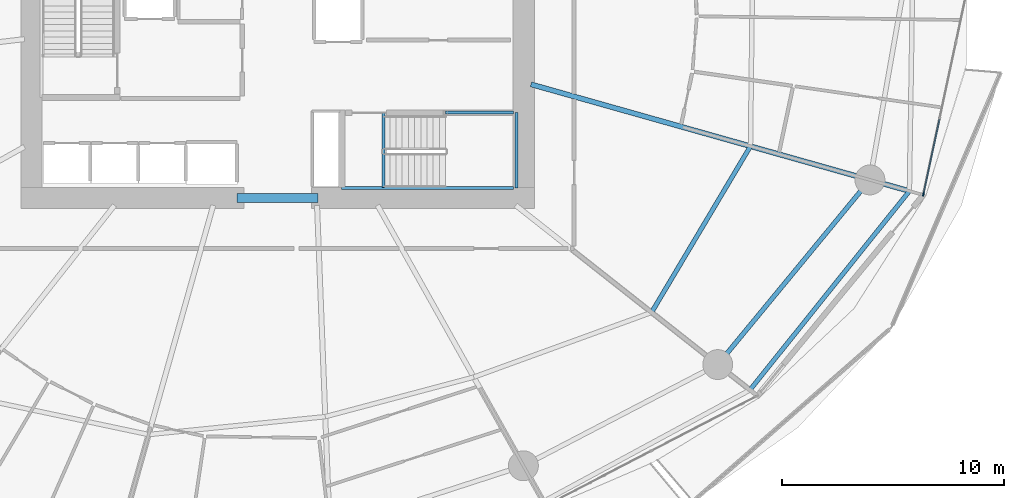
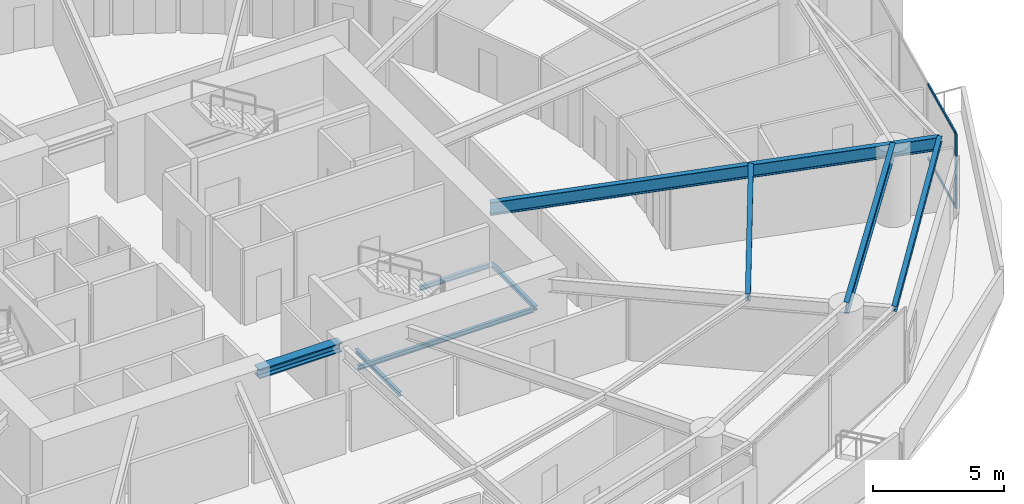
# One storey, part 10 of 31: 9 beams, 3 members, 1 element without a shape of its own.
"""IFC4 building model written with IfcOpenShell, lengths in metres."""

from ifc_helpers import new_model, si_unit, direction, frame, origin, origin_2d, place, context, subcontext, project, spatial, rectangle, i_section, extrude, material, layer, layer_set, material_profile, profile_set, type_object, element, aggregate, save


model = new_model("IFC4")

# Units and contexts
model_context = context("Model", 3, precision=1e-05, world=origin(), true_north=direction((0.0, 1.0)))
body_context = subcontext(model_context, "Body", "Model", "MODEL_VIEW")
ifc_project = project(units=[si_unit("LENGTHUNIT", "METRE"), si_unit("AREAUNIT", "SQUARE_METRE"), si_unit("VOLUMEUNIT", "CUBIC_METRE"), si_unit("PLANEANGLEUNIT", "RADIAN"), si_unit("MASSUNIT", "GRAM", prefix="KILO")], contexts=[model_context])

# Site, building, storey
site_placement = place(None, origin())
site = spatial("IfcSite", under=ifc_project, at=site_placement, CompositionType="ELEMENT")
building_placement = place(site_placement, origin())
building = spatial("IfcBuilding", under=site, at=building_placement, Name="Kazma Halo Residences", CompositionType="ELEMENT")
storey_placement = place(building_placement, frame((0.0, 0.0, 41.39990234375)))
storey = spatial("IfcBuildingStorey", under=building, at=storey_placement, Name="L09", CompositionType="ELEMENT", Elevation=41.39990234375)

# Beams
ifc_material_1 = material(Name="Steel S355", Category="steel")
ifc_material_profile_1 = material_profile(ifc_material_1, i_section(OverallWidth=0.201904296875, OverallDepth=0.2470703125, WebThickness=0.00732421875, FlangeThickness=0.010986328125, FilletRadius=0.011962890625, at=origin_2d()), Name="W250x49.1")
ifc_profile_set_1 = profile_set([ifc_material_profile_1], Name="Steel S355")
beam_type_1 = type_object("IfcBeamType", Name="BM-BAL-CANT", PredefinedType="BEAM", material=ifc_profile_set_1)
beam_1_placement = place(storey_placement, frame((69.728515625, 24.87060546875, 3.376708984375), z_axis=(0.625476617708, 0.780242911343, 0.0), x_axis=(-0.780242911343, 0.625476617708, 0.0)))
element("IfcBeam", 1, at=beam_1_placement, inside=storey, type_object=beam_type_1, Name="L09 wave-balcony tie beam 14", PredefinedType="BEAM", context=body_context, shape_type="SweptSolid", body=[
    extrude(i_section(OverallWidth=0.201904296875, OverallDepth=0.2470703125, WebThickness=0.00732421875, FlangeThickness=0.010986328125, FilletRadius=0.011962890625, at=origin_2d()), origin(), (0.0, 0.0, 1.0), 11.499755859375),
])
ifc_material_profile_2 = material_profile(ifc_material_1, i_section(OverallWidth=0.408935546875, OverallDepth=0.425048828125, WebThickness=0.03271484375, FlangeThickness=0.052490234375, FilletRadius=0.02001953125, at=origin_2d()), Name="W360x421")
ifc_profile_set_2 = profile_set([ifc_material_profile_2], Name="Steel S355")
beam_type_2 = type_object("IfcBeamType", Name="BM-CORE-W360H", PredefinedType="BEAM", material=ifc_profile_set_2)
beam_2_placement = place(storey_placement, frame((46.60009765625, 33.52490234375, 3.28759765625), z_axis=(1.0, 0.0, 0.0), x_axis=(0.0, 1.0, 0.0)))
element("IfcBeam", 2, at=beam_2_placement, inside=storey, type_object=beam_type_2, Name="L09 core coupling beam S", PredefinedType="BEAM", context=body_context, shape_type="SweptSolid", body=[
    extrude(i_section(OverallWidth=0.408935546875, OverallDepth=0.425048828125, WebThickness=0.03271484375, FlangeThickness=0.052490234375, FilletRadius=0.02001953125, at=origin_2d()), origin(), (0.0, 0.0, 1.0), 3.64990234375),
])
ifc_material_profile_3 = material_profile(ifc_material_1, i_section(OverallWidth=0.22802734375, OverallDepth=0.60791015625, WebThickness=0.01123046875, FlangeThickness=0.017333984375, FilletRadius=0.01806640625, at=origin_2d()), Name="W610x113")
ifc_profile_set_3 = profile_set([ifc_material_profile_3], Name="Steel S355")
beam_type_3 = type_object("IfcBeamType", Name="BM-RAD-W610", PredefinedType="BEAM", material=ifc_profile_set_3)
beam_3_placement = place(storey_placement, frame((59.85009765625, 38.657958984375, 3.196044921875), z_axis=(0.962453825278, -0.271445453468, 0.0), x_axis=(0.271445453468, 0.962453825278, 0.0)))
element("IfcBeam", 3, at=beam_3_placement, inside=storey, type_object=beam_type_3, Name="L09 radial floor beam 15", PredefinedType="BEAM", context=body_context, shape_type="SweptSolid", body=[
    extrude(i_section(OverallWidth=0.22802734375, OverallDepth=0.60791015625, WebThickness=0.01123046875, FlangeThickness=0.017333984375, FilletRadius=0.01806640625, at=origin_2d()), origin(), (0.0, 0.0, 1.0), 17.7373046875),
])
ifc_material_profile_4 = material_profile(ifc_material_1, i_section(OverallWidth=0.202880859375, OverallDepth=0.302978515625, WebThickness=0.007568359375, FlangeThickness=0.01318359375, FilletRadius=0.013916015625, at=origin_2d()), Name="W310x60")
ifc_profile_set_4 = profile_set([ifc_material_profile_4], Name="Steel S355")
beam_type_4 = type_object("IfcBeamType", Name="BM-SEC-W310A", PredefinedType="JOIST", material=ifc_profile_set_4)
beam_4_placement = place(storey_placement, frame((65.291015625, 28.368896484375, 3.3486328125), z_axis=(0.511331320511, 0.859383663252, 0.0), x_axis=(-0.859383663252, 0.511331320511, 0.0)))
element("IfcBeam", 4, at=beam_4_placement, inside=storey, type_object=beam_type_4, Name="L09 circumferential floor joist 14", PredefinedType="JOIST", context=body_context, shape_type="SweptSolid", body=[
    extrude(i_section(OverallWidth=0.202880859375, OverallDepth=0.302978515625, WebThickness=0.007568359375, FlangeThickness=0.01318359375, FilletRadius=0.013916015625, at=origin_2d()), origin(), (0.0, 0.0, 1.0), 8.72314453125),
])
ifc_material_profile_5 = material_profile(ifc_material_1, i_section(OverallWidth=0.208984375, OverallDepth=0.532958984375, WebThickness=0.01025390625, FlangeThickness=0.015625, FilletRadius=0.01611328125, at=origin_2d()), Name="W530x92")
ifc_profile_set_5 = profile_set([ifc_material_profile_5], Name="Steel S355")
beam_type_5 = type_object("IfcBeamType", Name="BM-SPN-W530", PredefinedType="BEAM", material=ifc_profile_set_5)
beam_5_placement = place(storey_placement, frame((68.27587890625, 26.015869140625, 3.233642578125), z_axis=(0.636001336663, 0.771687954916, 0.0), x_axis=(-0.771687954916, 0.636001336663, 0.0)))
element("IfcBeam", 5, at=beam_5_placement, inside=storey, type_object=beam_type_5, Name="L09 perimeter ring beam 14", PredefinedType="BEAM", context=body_context, shape_type="SweptSolid", body=[
    extrude(i_section(OverallWidth=0.208984375, OverallDepth=0.532958984375, WebThickness=0.01025390625, FlangeThickness=0.015625, FilletRadius=0.01611328125, at=origin_2d()), origin(), (0.0, 0.0, 1.0), 10.7939453125),
])
ifc_material_profile_6 = material_profile(ifc_material_1, i_section(OverallWidth=0.133056640625, OverallDepth=0.20703125, WebThickness=0.005859375, FlangeThickness=0.00830078125, FilletRadius=0.010009765625, at=origin_2d()), Name="W200x26.6")
ifc_profile_set_6 = profile_set([ifc_material_profile_6], Name="Steel S355")
beam_type_6 = type_object("IfcBeamType", Name="BM-TRIM-W200", PredefinedType="BEAM", material=ifc_profile_set_6)
beam_6_placement = place(storey_placement, frame((53.199951171875, 34.0, -0.35986328125), z_axis=(0.0, 1.0, 0.0), x_axis=(-1.0, 0.0, 0.0)))
element("IfcBeam", 6, at=beam_6_placement, inside=storey, type_object=beam_type_6, Name="L09 ST-03 floor landing support beam", PredefinedType="BEAM", context=body_context, shape_type="SweptSolid", body=[
    extrude(i_section(OverallWidth=0.133056640625, OverallDepth=0.20703125, WebThickness=0.005859375, FlangeThickness=0.00830078125, FilletRadius=0.010009765625, at=origin_2d()), origin(), (0.0, 0.0, 1.0), 3.3798828125),
])
beam_7_placement = place(storey_placement, frame((51.31005859375, 33.97998046875, 1.570068359375), z_axis=(1.0, 0.0, 0.0), x_axis=(0.0, 1.0, 0.0)))
element("IfcBeam", 7, at=beam_7_placement, inside=storey, type_object=beam_type_6, Name="L09 ST-03 landing south wall ledger", PredefinedType="BEAM", context=body_context, shape_type="SweptSolid", body=[
    extrude(i_section(OverallWidth=0.133056640625, OverallDepth=0.20703125, WebThickness=0.005859375, FlangeThickness=0.00830078125, FilletRadius=0.010009765625, at=origin_2d()), origin(), (0.0, 0.0, 1.0), 7.760009765625),
])
beam_8_placement = place(storey_placement, frame((56.0, 37.3798828125, 1.570068359375), z_axis=(1.0, 0.0, 0.0), x_axis=(0.0, 1.0, 0.0)))
element("IfcBeam", 8, at=beam_8_placement, inside=storey, type_object=beam_type_6, Name="L09 ST-03 landing north wall ledger", PredefinedType="BEAM", context=body_context, shape_type="SweptSolid", body=[
    extrude(i_section(OverallWidth=0.133056640625, OverallDepth=0.20703125, WebThickness=0.005859375, FlangeThickness=0.00830078125, FilletRadius=0.010009765625, at=origin_2d()), origin(), (0.0, 0.0, 1.0), 3.070068359375),
])
beam_9_placement = place(storey_placement, frame((59.18994140625, 33.97998046875, 1.570068359375), z_axis=(0.0, 1.0, 0.0), x_axis=(-1.0, 0.0, 0.0)))
element("IfcBeam", 9, at=beam_9_placement, inside=storey, type_object=beam_type_6, Name="L09 ST-03 landing end wall ledger", PredefinedType="BEAM", context=body_context, shape_type="SweptSolid", body=[
    extrude(i_section(OverallWidth=0.133056640625, OverallDepth=0.20703125, WebThickness=0.005859375, FlangeThickness=0.00830078125, FilletRadius=0.010009765625, at=origin_2d()), origin(), (0.0, 0.0, 1.0), 3.39990234375),
])

# Curtain wall, members
ifc_material_2 = material(Name="Aluminium AW-6063 T6 and Triple-Silver Low-E Glass", Category="aluminium")
ifc_layer = layer(ifc_material_2, 0.159912109375)
ifc_layer_set = layer_set([ifc_layer], Name="Aluminium AW-6063 T6 and Triple-Silver Low-E Glass")
curtain_wall_type = type_object("IfcCurtainWallType", Name="CW-SYS-2", PredefinedType="NOTDEFINED", material=ifc_layer_set)
curtain_wall_placement = place(storey_placement, origin())
curtain_wall = element("IfcCurtainWall", 10, at=curtain_wall_placement, inside=storey, type_object=curtain_wall_type, Name="L09 unitised curtain wall B15", PredefinedType="NOTDEFINED")
ifc_material_3 = material(Name="Aluminium AW-6063 T6", Category="aluminium")
ifc_material_profile_7 = material_profile(ifc_material_3, rectangle(XDim=0.06005859375, YDim=0.159912109375, at=origin_2d()), Name="CWM-60x160")
ifc_profile_set_7 = profile_set([ifc_material_profile_7], Name="Aluminium AW-6063 T6")
member_type_1 = type_object("IfcMemberType", Name="CW-SYS-2-MUL", PredefinedType="MULLION", material=ifc_profile_set_7)
member_1_placement = place(storey_placement, frame((77.552978515625, 33.6962890625, 0.0), z_axis=(0.0, 0.0, 1.0), x_axis=(-0.977779215096, 0.209637321406, 0.0)))
member_1 = element("IfcMember", 11, at=member_1_placement, type_object=member_type_1, Name="CWS-2 mullion 1", PredefinedType="MULLION", context=body_context, shape_type="SweptSolid", body=[
    extrude(rectangle(XDim=0.06005859375, YDim=0.159912109375, at=origin_2d()), origin(), (0.0, 0.0, 1.0), 3.5),
])
ifc_material_profile_8 = material_profile(ifc_material_3, rectangle(XDim=0.06005859375, YDim=0.1201171875, at=origin_2d()), Name="CWT-60x120")
ifc_profile_set_8 = profile_set([ifc_material_profile_8], Name="Aluminium AW-6063 T6")
member_type_2 = type_object("IfcMemberType", Name="CW-SYS-2-TRN", PredefinedType="USERDEFINED", material=ifc_profile_set_8)
member_2_placement = place(storey_placement, frame((77.559326171875, 33.7255859375, 0.030029296875), z_axis=(0.209650877007, 0.977776308657, 0.0), x_axis=(-0.977776308657, 0.209650877007, 0.0)))
member_2 = element("IfcMember", 12, at=member_2_placement, type_object=member_type_2, Name="CWS-2 transom 1.1", ObjectType="TRANSOM", PredefinedType="USERDEFINED", context=body_context, shape_type="SweptSolid", body=[
    extrude(rectangle(XDim=0.06005859375, YDim=0.1201171875, at=origin_2d()), origin(), (0.0, 0.0, 1.0), 3.422607421875),
])
member_3_placement = place(storey_placement, frame((77.559326171875, 33.7255859375, 3.47021484375), z_axis=(0.209650877007, 0.977776308657, 0.0), x_axis=(-0.977776308657, 0.209650877007, 0.0)))
member_3 = element("IfcMember", 13, at=member_3_placement, type_object=member_type_2, Name="CWS-2 transom 1.2", ObjectType="TRANSOM", PredefinedType="USERDEFINED", context=body_context, shape_type="SweptSolid", body=[
    extrude(rectangle(XDim=0.06005859375, YDim=0.1201171875, at=origin_2d()), origin(), (0.0, 0.0, 1.0), 3.422607421875),
])
aggregate(curtain_wall, [member_1, member_2, member_3])

save(model, "model.ifc")
